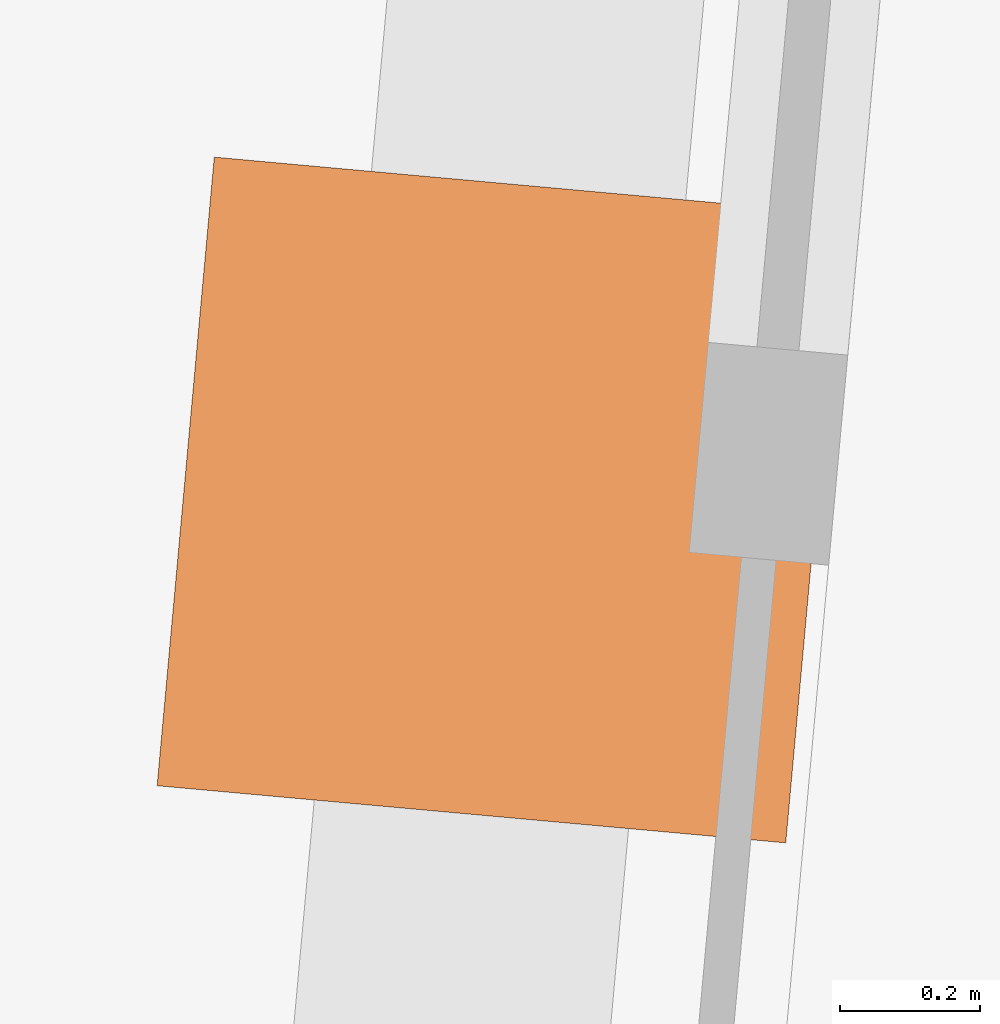
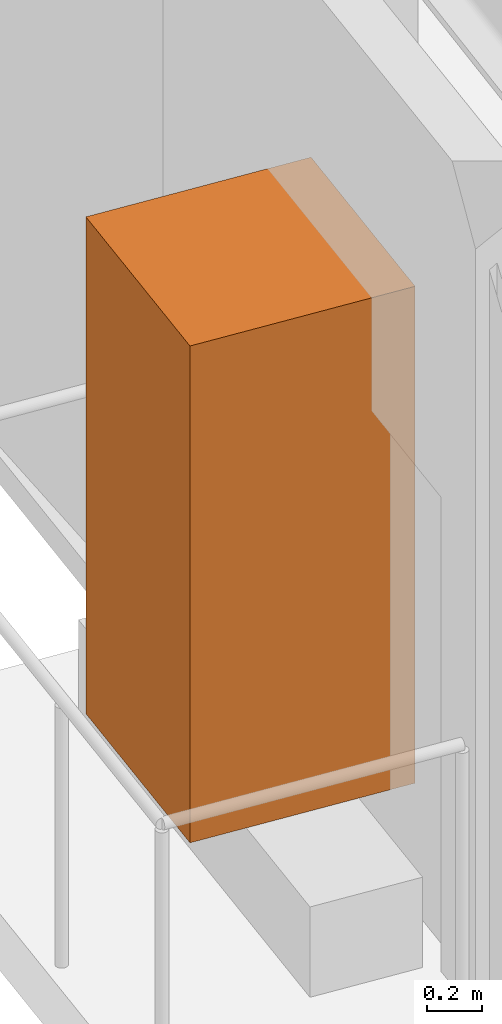
# One storey, part 8 of 8: 1 geographic element.
"""IFC4 building model written with IfcOpenShell, lengths in metres."""

from ifc_helpers import new_model, si_unit, direction, frame, origin, origin_2d, place, context, subcontext, project, spatial, rectangle, extrude, material, type_object, element, save


model = new_model("IFC4")

# Units and contexts
model_context = context("Model", 3, precision=1e-05, world=origin(), true_north=direction((0.0, 1.0)))
body_context = subcontext(model_context, "Body", "Model", "MODEL_VIEW")
ifc_project = project(units=[si_unit("LENGTHUNIT", "METRE"), si_unit("AREAUNIT", "SQUARE_METRE"), si_unit("VOLUMEUNIT", "CUBIC_METRE"), si_unit("PLANEANGLEUNIT", "RADIAN"), si_unit("MASSUNIT", "GRAM", prefix="KILO")], contexts=[model_context])

# Site, building, storey
site_placement = place(None, origin())
site = spatial("IfcSite", under=ifc_project, at=site_placement, CompositionType="ELEMENT")
building_placement = place(site_placement, origin())
building = spatial("IfcBuilding", under=site, at=building_placement, Name="Verdant Reach Tower", CompositionType="ELEMENT")
storey_placement = place(building_placement, frame((0.0, 0.0, 46.0)))
storey = spatial("IfcBuildingStorey", under=building, at=storey_placement, Name="L10", CompositionType="ELEMENT", Elevation=46.0)

# Geographic element
ifc_material = material(Name="Planting")
geographic_element_type = type_object("IfcGeographicElementType", Name="EN-TREE", PredefinedType="USERDEFINED", material=ifc_material)
geographic_element_placement = place(storey_placement, frame((-24.09814453125, 10.16796875, 0.39990234375), z_axis=(0.0, 0.0, 1.0), x_axis=(-0.090535746047, -0.995893206467, 0.0)))
element("IfcGeographicElement", 1, at=geographic_element_placement, inside=storey, type_object=geographic_element_type, Name="Balcony tree, Guabiroba (Campomanesia xanthocarpa), L10 1", ObjectType="TREE", PredefinedType="USERDEFINED", context=body_context, shape_type="SweptSolid", body=[
    extrude(rectangle(XDim=0.89990234375, YDim=0.89990234375, at=origin_2d()), origin(), (0.0, 0.0, 1.0), 2.199951171875),
])

save(model, "model.ifc")
